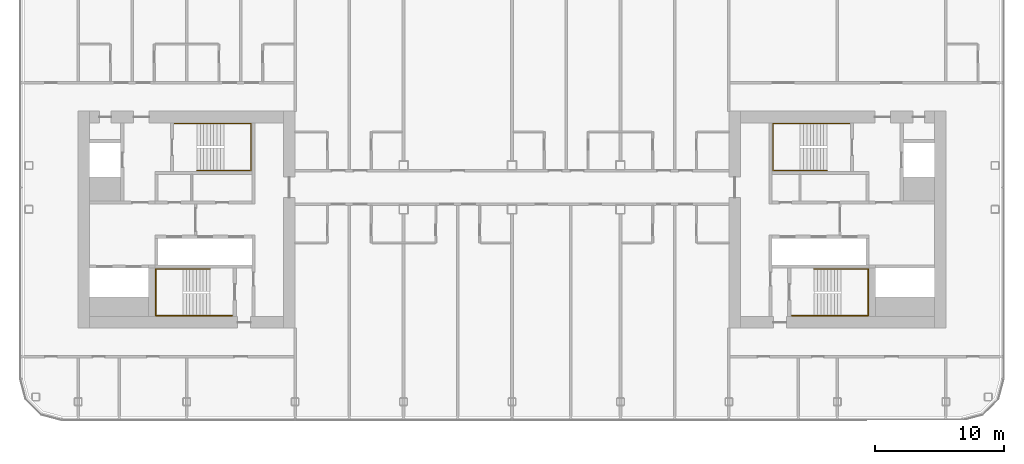
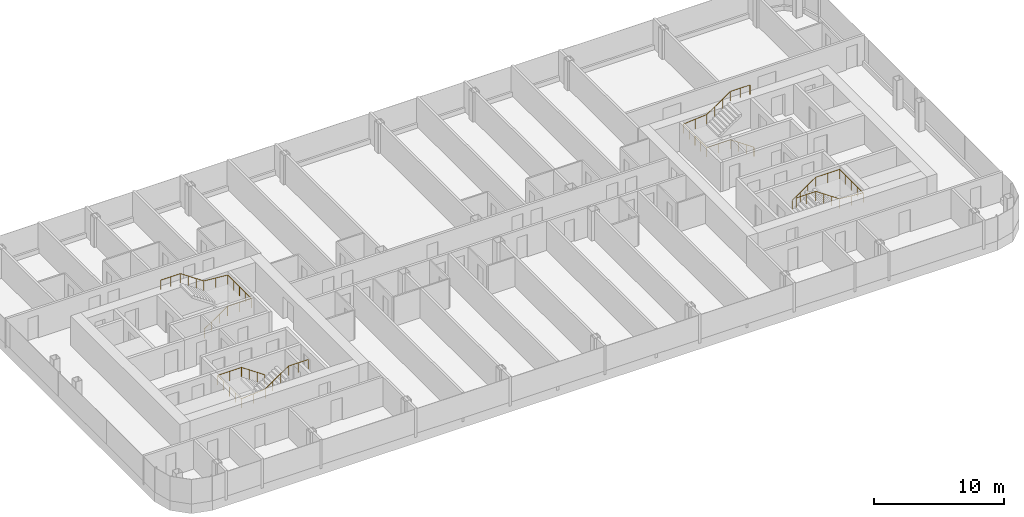
# One storey, part 26 of 26: 4 railings.
"""IFC4 building model written with IfcOpenShell, lengths in metres."""

from ifc_helpers import new_model, si_unit, direction, frame, origin, origin_2d, place, context, subcontext, project, spatial, circle, extrude, material, type_object, element, save


model = new_model("IFC4")

# Units and contexts
model_context = context("Model", 3, precision=1e-05, world=origin(), true_north=direction((0.0, 1.0)))
body_context = subcontext(model_context, "Body", "Model", "MODEL_VIEW")
ifc_project = project(units=[si_unit("LENGTHUNIT", "METRE"), si_unit("AREAUNIT", "SQUARE_METRE"), si_unit("VOLUMEUNIT", "CUBIC_METRE"), si_unit("PLANEANGLEUNIT", "RADIAN"), si_unit("MASSUNIT", "GRAM", prefix="KILO")], contexts=[model_context])

# Site, building, storey
site_placement = place(None, origin())
site = spatial("IfcSite", under=ifc_project, at=site_placement, CompositionType="ELEMENT")
building_placement = place(site_placement, origin())
building = spatial("IfcBuilding", under=site, at=building_placement, Name="Hakoniwa Tower and Hamabe Station Hall", CompositionType="ELEMENT")
storey_placement = place(building_placement, frame((0.0, 0.0, 189.800048828125)))
storey = spatial("IfcBuildingStorey", under=building, at=storey_placement, Name="L53", CompositionType="ELEMENT", Elevation=189.800048828125)

# Railings
ifc_material = material(Name="Stainless steel SUS304", Category="steel")
railing_type = type_object("IfcRailingType", Name="STAIR HANDRAIL 900", PredefinedType="HANDRAIL", material=ifc_material)
railing_1_placement = place(storey_placement, frame((-24.39990234375, 3.81005859375, 0.177734375)))
element("IfcRailing", 1, at=railing_1_placement, inside=storey, type_object=railing_type, Name="Handrail ST-1 L53 1", PredefinedType="HANDRAIL", context=body_context, shape_type="SweptSolid", body=[
    extrude(circle(Radius=0.02392578125, at=origin_2d()), frame((0.0, 0.0, 0.8759765625), z_axis=(0.825478349766, 0.0, 0.564433781827), x_axis=(0.0, 1.0, 0.0)), (0.0, 0.0, 1.0), 2.51953125),
    extrude(circle(Radius=0.02392578125, at=origin_2d()), frame((2.079833984375, 0.0, 2.2978515625), z_axis=(1.0, 0.0, 0.0), x_axis=(0.0, 1.0, 0.0)), (0.0, 0.0, 1.0), 2.110107421875),
    extrude(circle(Radius=0.02392578125, at=origin_2d()), frame((4.18994140625, 0.0, 2.2978515625), z_axis=(0.0, 1.0, 0.0), x_axis=(-1.0, 0.0, 0.0)), (0.0, 0.0, 1.0), 3.6298828125),
    extrude(circle(Radius=0.02392578125, at=origin_2d()), frame((4.18994140625, 3.6298828125, 2.2978515625), z_axis=(-0.996461767938, 0.0, 0.084047278587), x_axis=(0.0, -1.0, 0.0)), (0.0, 0.0, 1.0), 2.11767578125),
    extrude(circle(Radius=0.02392578125, at=origin_2d()), frame((2.079833984375, 3.6298828125, 2.47607421875), z_axis=(-0.825478349766, 0.0, 0.564433781827), x_axis=(0.0, -1.0, 0.0)), (0.0, 0.0, 1.0), 2.51953125),
    extrude(circle(Radius=0.02392578125, at=origin_2d()), frame((0.0, 3.6298828125, 3.89794921875), z_axis=(-1.0, 0.0, 0.0), x_axis=(0.0, -1.0, 0.0)), (0.0, 0.0, 1.0), 1.739990234375),
    extrude(circle(Radius=0.02099609375, at=origin_2d()), origin(), (0.0, 0.0, 1.0), 0.851806640625),
    extrude(circle(Radius=0.02099609375, at=origin_2d()), frame((0.693359375, 0.0, 0.47412109375)), (0.0, 0.0, 1.0), 0.851806640625),
    extrude(circle(Radius=0.02099609375, at=origin_2d()), frame((1.386474609375, 0.0, 0.947998046875)), (0.0, 0.0, 1.0), 0.851806640625),
    extrude(circle(Radius=0.02099609375, at=origin_2d()), frame((2.079833984375, 0.0, 1.422119140625)), (0.0, 0.0, 1.0), 0.851806640625),
    extrude(circle(Radius=0.02099609375, at=origin_2d()), frame((3.134765625, 0.0, 1.422119140625)), (0.0, 0.0, 1.0), 0.851806640625),
    extrude(circle(Radius=0.02099609375, at=origin_2d()), frame((4.18994140625, 0.0, 1.422119140625)), (0.0, 0.0, 1.0), 0.851806640625),
    extrude(circle(Radius=0.02099609375, at=origin_2d()), frame((4.18994140625, 0.907470703125, 1.422119140625)), (0.0, 0.0, 1.0), 0.851806640625),
    extrude(circle(Radius=0.02099609375, at=origin_2d()), frame((4.18994140625, 1.81494140625, 1.422119140625)), (0.0, 0.0, 1.0), 0.851806640625),
    extrude(circle(Radius=0.02099609375, at=origin_2d()), frame((4.18994140625, 2.722412109375, 1.422119140625)), (0.0, 0.0, 1.0), 0.851806640625),
    extrude(circle(Radius=0.02099609375, at=origin_2d()), frame((4.18994140625, 3.6298828125, 1.422119140625)), (0.0, 0.0, 1.0), 0.851806640625),
    extrude(circle(Radius=0.02099609375, at=origin_2d()), frame((3.134765625, 3.6298828125, 1.51123046875)), (0.0, 0.0, 1.0), 0.851806640625),
    extrude(circle(Radius=0.02099609375, at=origin_2d()), frame((2.079833984375, 3.6298828125, 1.60009765625)), (0.0, 0.0, 1.0), 0.851806640625),
    extrude(circle(Radius=0.02099609375, at=origin_2d()), frame((1.386474609375, 3.6298828125, 2.07421875)), (0.0, 0.0, 1.0), 0.851806640625),
    extrude(circle(Radius=0.02099609375, at=origin_2d()), frame((0.693359375, 3.6298828125, 2.548095703125)), (0.0, 0.0, 1.0), 0.851806640625),
    extrude(circle(Radius=0.02099609375, at=origin_2d()), frame((0.0, 3.6298828125, 3.022216796875)), (0.0, 0.0, 1.0), 0.851806640625),
    extrude(circle(Radius=0.02099609375, at=origin_2d()), frame((-0.8701171875, 3.6298828125, 3.022216796875)), (0.0, 0.0, 1.0), 0.851806640625),
    extrude(circle(Radius=0.02099609375, at=origin_2d()), frame((-1.739990234375, 3.6298828125, 3.022216796875)), (0.0, 0.0, 1.0), 0.851806640625),
])
railing_2_placement = place(storey_placement, frame((-23.39990234375, -3.81005859375, 0.177734375)))
element("IfcRailing", 2, at=railing_2_placement, inside=storey, type_object=railing_type, Name="Handrail ST-2 L53 1", PredefinedType="HANDRAIL", context=body_context, shape_type="SweptSolid", body=[
    extrude(circle(Radius=0.02392578125, at=origin_2d()), frame((0.0, 0.0, 0.8759765625), z_axis=(-0.82550921652, 0.0, 0.564388636881), x_axis=(0.0, -1.0, 0.0)), (0.0, 0.0, 1.0), 2.519775390625),
    extrude(circle(Radius=0.02392578125, at=origin_2d()), frame((-2.080078125, 0.0, 2.2978515625), z_axis=(-1.0, 0.0, 0.0), x_axis=(0.0, -1.0, 0.0)), (0.0, 0.0, 1.0), 2.110107421875),
    extrude(circle(Radius=0.02392578125, at=origin_2d()), frame((-4.190185546875, 0.0, 2.2978515625), z_axis=(0.0, -1.0, 0.0), x_axis=(1.0, 0.0, 0.0)), (0.0, 0.0, 1.0), 3.6298828125),
    extrude(circle(Radius=0.02392578125, at=origin_2d()), frame((-4.190185546875, -3.6298828125, 2.2978515625), z_axis=(0.996461767938, 0.0, 0.084047278587), x_axis=(0.0, 1.0, 0.0)), (0.0, 0.0, 1.0), 2.11767578125),
    extrude(circle(Radius=0.02392578125, at=origin_2d()), frame((-2.080078125, -3.6298828125, 2.47607421875), z_axis=(0.82550921652, 0.0, 0.564388636881), x_axis=(0.0, 1.0, 0.0)), (0.0, 0.0, 1.0), 2.519775390625),
    extrude(circle(Radius=0.02392578125, at=origin_2d()), frame((0.0, -3.6298828125, 3.89794921875), z_axis=(1.0, 0.0, 0.0), x_axis=(0.0, 1.0, 0.0)), (0.0, 0.0, 1.0), 1.739990234375),
    extrude(circle(Radius=0.02099609375, at=origin_2d()), origin(), (0.0, 0.0, 1.0), 0.851806640625),
    extrude(circle(Radius=0.02099609375, at=origin_2d()), frame((-0.693359375, 0.0, 0.47412109375)), (0.0, 0.0, 1.0), 0.851806640625),
    extrude(circle(Radius=0.02099609375, at=origin_2d()), frame((-1.38671875, 0.0, 0.947998046875)), (0.0, 0.0, 1.0), 0.851806640625),
    extrude(circle(Radius=0.02099609375, at=origin_2d()), frame((-2.080078125, 0.0, 1.422119140625)), (0.0, 0.0, 1.0), 0.851806640625),
    extrude(circle(Radius=0.02099609375, at=origin_2d()), frame((-3.13525390625, 0.0, 1.422119140625)), (0.0, 0.0, 1.0), 0.851806640625),
    extrude(circle(Radius=0.02099609375, at=origin_2d()), frame((-4.190185546875, 0.0, 1.422119140625)), (0.0, 0.0, 1.0), 0.851806640625),
    extrude(circle(Radius=0.02099609375, at=origin_2d()), frame((-4.190185546875, -0.907470703125, 1.422119140625)), (0.0, 0.0, 1.0), 0.851806640625),
    extrude(circle(Radius=0.02099609375, at=origin_2d()), frame((-4.190185546875, -1.81494140625, 1.422119140625)), (0.0, 0.0, 1.0), 0.851806640625),
    extrude(circle(Radius=0.02099609375, at=origin_2d()), frame((-4.190185546875, -2.722412109375, 1.422119140625)), (0.0, 0.0, 1.0), 0.851806640625),
    extrude(circle(Radius=0.02099609375, at=origin_2d()), frame((-4.190185546875, -3.6298828125, 1.422119140625)), (0.0, 0.0, 1.0), 0.851806640625),
    extrude(circle(Radius=0.02099609375, at=origin_2d()), frame((-3.13525390625, -3.6298828125, 1.51123046875)), (0.0, 0.0, 1.0), 0.851806640625),
    extrude(circle(Radius=0.02099609375, at=origin_2d()), frame((-2.080078125, -3.6298828125, 1.60009765625)), (0.0, 0.0, 1.0), 0.851806640625),
    extrude(circle(Radius=0.02099609375, at=origin_2d()), frame((-1.38671875, -3.6298828125, 2.07421875)), (0.0, 0.0, 1.0), 0.851806640625),
    extrude(circle(Radius=0.02099609375, at=origin_2d()), frame((-0.693359375, -3.6298828125, 2.548095703125)), (0.0, 0.0, 1.0), 0.851806640625),
    extrude(circle(Radius=0.02099609375, at=origin_2d()), frame((0.0, -3.6298828125, 3.022216796875)), (0.0, 0.0, 1.0), 0.851806640625),
    extrude(circle(Radius=0.02099609375, at=origin_2d()), frame((0.8701171875, -3.6298828125, 3.022216796875)), (0.0, 0.0, 1.0), 0.851806640625),
    extrude(circle(Radius=0.02099609375, at=origin_2d()), frame((1.739990234375, -3.6298828125, 3.022216796875)), (0.0, 0.0, 1.0), 0.851806640625),
])
railing_3_placement = place(storey_placement, frame((24.39990234375, 3.81005859375, 0.177734375)))
element("IfcRailing", 3, at=railing_3_placement, inside=storey, type_object=railing_type, Name="Handrail ST-3 L53 1", PredefinedType="HANDRAIL", context=body_context, shape_type="SweptSolid", body=[
    extrude(circle(Radius=0.02392578125, at=origin_2d()), frame((0.0, 0.0, 0.8759765625), z_axis=(-0.825478349766, 0.0, 0.564433781827), x_axis=(0.0, -1.0, 0.0)), (0.0, 0.0, 1.0), 2.51953125),
    extrude(circle(Radius=0.02392578125, at=origin_2d()), frame((-2.079833984375, 0.0, 2.2978515625), z_axis=(-1.0, 0.0, 0.0), x_axis=(0.0, -1.0, 0.0)), (0.0, 0.0, 1.0), 2.110107421875),
    extrude(circle(Radius=0.02392578125, at=origin_2d()), frame((-4.18994140625, 0.0, 2.2978515625), z_axis=(0.0, 1.0, 0.0), x_axis=(-1.0, 0.0, 0.0)), (0.0, 0.0, 1.0), 3.6298828125),
    extrude(circle(Radius=0.02392578125, at=origin_2d()), frame((-4.18994140625, 3.6298828125, 2.2978515625), z_axis=(0.996461767938, 0.0, 0.084047278587), x_axis=(0.0, 1.0, 0.0)), (0.0, 0.0, 1.0), 2.11767578125),
    extrude(circle(Radius=0.02392578125, at=origin_2d()), frame((-2.079833984375, 3.6298828125, 2.47607421875), z_axis=(0.825478349766, 0.0, 0.564433781827), x_axis=(0.0, 1.0, 0.0)), (0.0, 0.0, 1.0), 2.51953125),
    extrude(circle(Radius=0.02392578125, at=origin_2d()), frame((0.0, 3.6298828125, 3.89794921875), z_axis=(1.0, 0.0, 0.0), x_axis=(0.0, 1.0, 0.0)), (0.0, 0.0, 1.0), 1.739990234375),
    extrude(circle(Radius=0.02099609375, at=origin_2d()), origin(), (0.0, 0.0, 1.0), 0.851806640625),
    extrude(circle(Radius=0.02099609375, at=origin_2d()), frame((-0.693359375, 0.0, 0.47412109375)), (0.0, 0.0, 1.0), 0.851806640625),
    extrude(circle(Radius=0.02099609375, at=origin_2d()), frame((-1.386474609375, 0.0, 0.947998046875)), (0.0, 0.0, 1.0), 0.851806640625),
    extrude(circle(Radius=0.02099609375, at=origin_2d()), frame((-2.079833984375, 0.0, 1.422119140625)), (0.0, 0.0, 1.0), 0.851806640625),
    extrude(circle(Radius=0.02099609375, at=origin_2d()), frame((-3.134765625, 0.0, 1.422119140625)), (0.0, 0.0, 1.0), 0.851806640625),
    extrude(circle(Radius=0.02099609375, at=origin_2d()), frame((-4.18994140625, 0.0, 1.422119140625)), (0.0, 0.0, 1.0), 0.851806640625),
    extrude(circle(Radius=0.02099609375, at=origin_2d()), frame((-4.18994140625, 0.907470703125, 1.422119140625)), (0.0, 0.0, 1.0), 0.851806640625),
    extrude(circle(Radius=0.02099609375, at=origin_2d()), frame((-4.18994140625, 1.81494140625, 1.422119140625)), (0.0, 0.0, 1.0), 0.851806640625),
    extrude(circle(Radius=0.02099609375, at=origin_2d()), frame((-4.18994140625, 2.722412109375, 1.422119140625)), (0.0, 0.0, 1.0), 0.851806640625),
    extrude(circle(Radius=0.02099609375, at=origin_2d()), frame((-4.18994140625, 3.6298828125, 1.422119140625)), (0.0, 0.0, 1.0), 0.851806640625),
    extrude(circle(Radius=0.02099609375, at=origin_2d()), frame((-3.134765625, 3.6298828125, 1.51123046875)), (0.0, 0.0, 1.0), 0.851806640625),
    extrude(circle(Radius=0.02099609375, at=origin_2d()), frame((-2.079833984375, 3.6298828125, 1.60009765625)), (0.0, 0.0, 1.0), 0.851806640625),
    extrude(circle(Radius=0.02099609375, at=origin_2d()), frame((-1.386474609375, 3.6298828125, 2.07421875)), (0.0, 0.0, 1.0), 0.851806640625),
    extrude(circle(Radius=0.02099609375, at=origin_2d()), frame((-0.693359375, 3.6298828125, 2.548095703125)), (0.0, 0.0, 1.0), 0.851806640625),
    extrude(circle(Radius=0.02099609375, at=origin_2d()), frame((0.0, 3.6298828125, 3.022216796875)), (0.0, 0.0, 1.0), 0.851806640625),
    extrude(circle(Radius=0.02099609375, at=origin_2d()), frame((0.8701171875, 3.6298828125, 3.022216796875)), (0.0, 0.0, 1.0), 0.851806640625),
    extrude(circle(Radius=0.02099609375, at=origin_2d()), frame((1.739990234375, 3.6298828125, 3.022216796875)), (0.0, 0.0, 1.0), 0.851806640625),
])
railing_4_placement = place(storey_placement, frame((23.39990234375, -3.81005859375, 0.177734375)))
element("IfcRailing", 4, at=railing_4_placement, inside=storey, type_object=railing_type, Name="Handrail ST-4 L53 1", PredefinedType="HANDRAIL", context=body_context, shape_type="SweptSolid", body=[
    extrude(circle(Radius=0.02392578125, at=origin_2d()), frame((0.0, 0.0, 0.8759765625), z_axis=(0.82550921652, 0.0, 0.564388636881), x_axis=(0.0, 1.0, 0.0)), (0.0, 0.0, 1.0), 2.519775390625),
    extrude(circle(Radius=0.02392578125, at=origin_2d()), frame((2.080078125, 0.0, 2.2978515625), z_axis=(1.0, 0.0, 0.0), x_axis=(0.0, 1.0, 0.0)), (0.0, 0.0, 1.0), 2.110107421875),
    extrude(circle(Radius=0.02392578125, at=origin_2d()), frame((4.190185546875, 0.0, 2.2978515625), z_axis=(0.0, -1.0, 0.0), x_axis=(1.0, 0.0, 0.0)), (0.0, 0.0, 1.0), 3.6298828125),
    extrude(circle(Radius=0.02392578125, at=origin_2d()), frame((4.190185546875, -3.6298828125, 2.2978515625), z_axis=(-0.996461767938, 0.0, 0.084047278587), x_axis=(0.0, -1.0, 0.0)), (0.0, 0.0, 1.0), 2.11767578125),
    extrude(circle(Radius=0.02392578125, at=origin_2d()), frame((2.080078125, -3.6298828125, 2.47607421875), z_axis=(-0.82550921652, 0.0, 0.564388636881), x_axis=(0.0, -1.0, 0.0)), (0.0, 0.0, 1.0), 2.519775390625),
    extrude(circle(Radius=0.02392578125, at=origin_2d()), frame((0.0, -3.6298828125, 3.89794921875), z_axis=(-1.0, 0.0, 0.0), x_axis=(0.0, -1.0, 0.0)), (0.0, 0.0, 1.0), 1.739990234375),
    extrude(circle(Radius=0.02099609375, at=origin_2d()), origin(), (0.0, 0.0, 1.0), 0.851806640625),
    extrude(circle(Radius=0.02099609375, at=origin_2d()), frame((0.693359375, 0.0, 0.47412109375)), (0.0, 0.0, 1.0), 0.851806640625),
    extrude(circle(Radius=0.02099609375, at=origin_2d()), frame((1.38671875, 0.0, 0.947998046875)), (0.0, 0.0, 1.0), 0.851806640625),
    extrude(circle(Radius=0.02099609375, at=origin_2d()), frame((2.080078125, 0.0, 1.422119140625)), (0.0, 0.0, 1.0), 0.851806640625),
    extrude(circle(Radius=0.02099609375, at=origin_2d()), frame((3.13525390625, 0.0, 1.422119140625)), (0.0, 0.0, 1.0), 0.851806640625),
    extrude(circle(Radius=0.02099609375, at=origin_2d()), frame((4.190185546875, 0.0, 1.422119140625)), (0.0, 0.0, 1.0), 0.851806640625),
    extrude(circle(Radius=0.02099609375, at=origin_2d()), frame((4.190185546875, -0.907470703125, 1.422119140625)), (0.0, 0.0, 1.0), 0.851806640625),
    extrude(circle(Radius=0.02099609375, at=origin_2d()), frame((4.190185546875, -1.81494140625, 1.422119140625)), (0.0, 0.0, 1.0), 0.851806640625),
    extrude(circle(Radius=0.02099609375, at=origin_2d()), frame((4.190185546875, -2.722412109375, 1.422119140625)), (0.0, 0.0, 1.0), 0.851806640625),
    extrude(circle(Radius=0.02099609375, at=origin_2d()), frame((4.190185546875, -3.6298828125, 1.422119140625)), (0.0, 0.0, 1.0), 0.851806640625),
    extrude(circle(Radius=0.02099609375, at=origin_2d()), frame((3.13525390625, -3.6298828125, 1.51123046875)), (0.0, 0.0, 1.0), 0.851806640625),
    extrude(circle(Radius=0.02099609375, at=origin_2d()), frame((2.080078125, -3.6298828125, 1.60009765625)), (0.0, 0.0, 1.0), 0.851806640625),
    extrude(circle(Radius=0.02099609375, at=origin_2d()), frame((1.38671875, -3.6298828125, 2.07421875)), (0.0, 0.0, 1.0), 0.851806640625),
    extrude(circle(Radius=0.02099609375, at=origin_2d()), frame((0.693359375, -3.6298828125, 2.548095703125)), (0.0, 0.0, 1.0), 0.851806640625),
    extrude(circle(Radius=0.02099609375, at=origin_2d()), frame((0.0, -3.6298828125, 3.022216796875)), (0.0, 0.0, 1.0), 0.851806640625),
    extrude(circle(Radius=0.02099609375, at=origin_2d()), frame((-0.8701171875, -3.6298828125, 3.022216796875)), (0.0, 0.0, 1.0), 0.851806640625),
    extrude(circle(Radius=0.02099609375, at=origin_2d()), frame((-1.739990234375, -3.6298828125, 3.022216796875)), (0.0, 0.0, 1.0), 0.851806640625),
])

save(model, "model.ifc")
